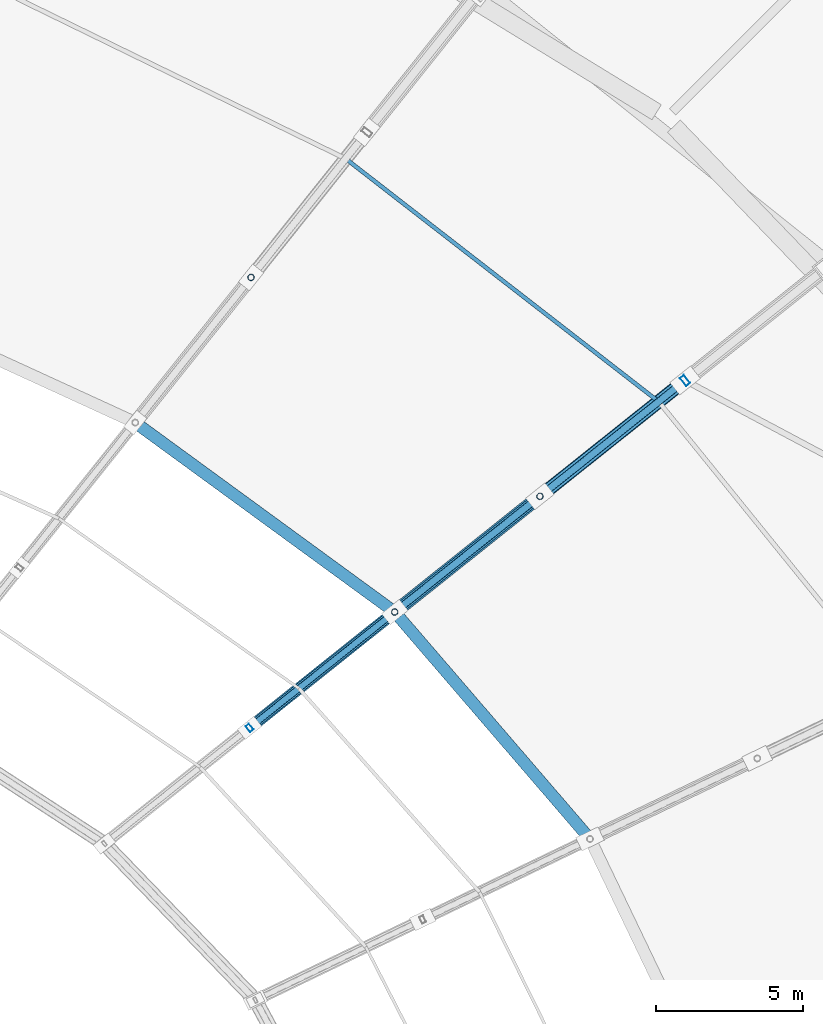
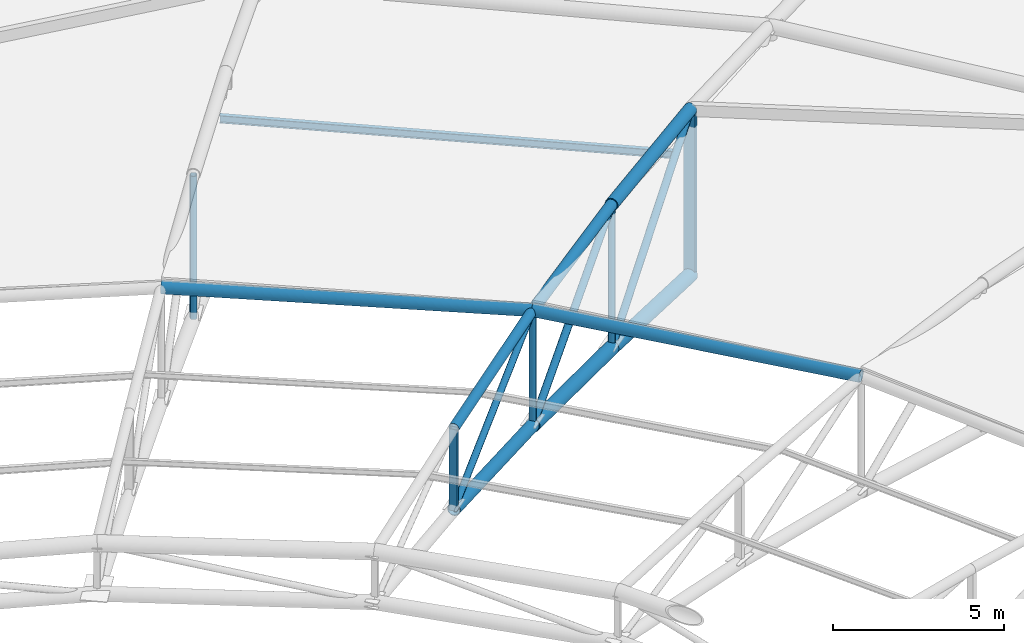
# One storey, part 77 of 108: 17 members.
"""IFC4 building model written with IfcOpenShell, lengths in metres."""

from ifc_helpers import new_model, si_unit, direction, frame, origin, origin_2d, place, context, subcontext, project, spatial, hollow_rectangle, hollow_circle, i_section, extrude, material, material_profile, profile_set, type_object, element, save


model = new_model("IFC4")

# Units and contexts
model_context = context("Model", 3, precision=1e-05, world=origin(), true_north=direction((0.0, 1.0)))
body_context = subcontext(model_context, "Body", "Model", "MODEL_VIEW")
ifc_project = project(units=[si_unit("LENGTHUNIT", "METRE"), si_unit("AREAUNIT", "SQUARE_METRE"), si_unit("VOLUMEUNIT", "CUBIC_METRE"), si_unit("PLANEANGLEUNIT", "RADIAN"), si_unit("MASSUNIT", "GRAM", prefix="KILO")], contexts=[model_context])

# Site, building, storey
site_placement = place(None, origin())
site = spatial("IfcSite", under=ifc_project, at=site_placement, CompositionType="ELEMENT")
building_placement = place(site_placement, origin())
building = spatial("IfcBuilding", under=site, at=building_placement, Name="Zevraka Park Crest Stadium", CompositionType="ELEMENT")
storey_placement = place(building_placement, frame((0.0, 0.0, 29.39990234375)))
storey = spatial("IfcBuildingStorey", under=building, at=storey_placement, Name="RF", CompositionType="ELEMENT", Elevation=29.39990234375)

# Members
ifc_material_1 = material(Name="Steel S355", Category="steel")
ifc_material_profile_1 = material_profile(ifc_material_1, i_section(OverallWidth=0.135009765625, OverallDepth=0.27001953125, WebThickness=0.006591796875, FlangeThickness=0.01025390625, at=origin_2d()), Name="IPE 270")
ifc_profile_set_1 = profile_set([ifc_material_profile_1], Name="Steel S355")
member_type_1 = type_object("IfcMemberType", Name="PR04", PredefinedType="PURLIN", material=ifc_profile_set_1)
member_1_placement = place(storey_placement, frame((164.423095703125, 124.4541015625, 7.488037109375), z_axis=(-0.789959240492, 0.613159358048, 0.0), x_axis=(-0.613159358048, -0.789959240492, 0.0)))
element("IfcMember", 1, at=member_1_placement, inside=storey, type_object=member_type_1, Name="Canopy Roof Purlin PR04 OUTER-04-2", PredefinedType="PURLIN", context=body_context, shape_type="SweptSolid", body=[
    extrude(i_section(OverallWidth=0.135009765625, OverallDepth=0.27001953125, WebThickness=0.006591796875, FlangeThickness=0.01025390625, at=origin_2d()), origin(), (0.0, 0.0, 1.0), 13.440185546875),
])
ifc_material_2 = material(Name="Steel S355", Category="steel")
ifc_material_profile_2 = material_profile(ifc_material_2, hollow_circle(Radius=0.228515625, WallThickness=0.02490234375, at=origin_2d()), Name="CHS 457.0x25")
ifc_profile_set_2 = profile_set([ifc_material_profile_2], Name="Steel S355")
member_type_2 = type_object("IfcMemberType", Name="TC02", PredefinedType="CHORD", material=ifc_profile_set_2)
member_2_placement = place(storey_placement, frame((165.321044921875, 125.169921875, 2.4501953125), z_axis=(-0.760602740013, -0.606499354913, 0.231607435924), x_axis=(0.623451415626, -0.781862092926, 0.0)))
element("IfcMember", 2, at=member_2_placement, inside=storey, type_object=member_type_2, Name="Roof Truss Bottom Chord TC02 T04-4", PredefinedType="CHORD", context=body_context, shape_type="SweptSolid", body=[
    extrude(hollow_circle(Radius=0.228515625, WallThickness=0.02490234375, at=origin_2d()), origin(), (0.0, 0.0, 1.0), 6.4765625),
])
member_3_placement = place(storey_placement, frame((160.39501953125, 121.241943359375, 3.9501953125), z_axis=(-0.764449300006, -0.609687443008, 0.209519663894), x_axis=(0.623526977414, -0.781801834506, 0.0)))
element("IfcMember", 3, at=member_3_placement, inside=storey, type_object=member_type_2, Name="Roof Truss Bottom Chord TC02 T04-5", PredefinedType="CHORD", context=body_context, shape_type="SweptSolid", body=[
    extrude(hollow_circle(Radius=0.228515625, WallThickness=0.02490234375, at=origin_2d()), origin(), (0.0, 0.0, 1.0), 6.442626953125),
])
ifc_material_3 = material(Name="Steel S355", Category="steel")
ifc_material_profile_3 = material_profile(ifc_material_3, hollow_circle(Radius=0.203125, WallThickness=0.02001953125, at=origin_2d()), Name="CHS 406.4x20")
ifc_profile_set_3 = profile_set([ifc_material_profile_3], Name="Steel S355")
member_type_3 = type_object("IfcMemberType", Name="TC03", PredefinedType="CHORD", material=ifc_profile_set_3)
member_4_placement = place(storey_placement, frame((165.321044921875, 125.169921875, 8.35009765625), z_axis=(-0.777081243821, -0.619639199674, 0.110417402291), x_axis=(0.623451415626, -0.781862092926, 0.0)))
element("IfcMember", 4, at=member_4_placement, inside=storey, type_object=member_type_3, Name="Roof Truss Top Chord TC03 T04-4", PredefinedType="CHORD", context=body_context, shape_type="SweptSolid", body=[
    extrude(hollow_circle(Radius=0.203125, WallThickness=0.02001953125, at=origin_2d()), origin(), (0.0, 0.0, 1.0), 6.339111328125),
])
member_5_placement = place(storey_placement, frame((155.469970703125, 117.31396484375, 5.300048828125), z_axis=(-0.770209161073, -0.614159448506, 0.172005872022), x_axis=(0.623451415626, -0.781862092926, 0.0)))
element("IfcMember", 5, at=member_5_placement, inside=storey, type_object=member_type_3, Name="Roof Truss Bottom Chord TC03 T04-6", PredefinedType="CHORD", context=body_context, shape_type="SweptSolid", body=[
    extrude(hollow_circle(Radius=0.203125, WallThickness=0.02001953125, at=origin_2d()), origin(), (0.0, 0.0, 1.0), 6.395751953125),
])
member_6_placement = place(storey_placement, frame((162.093994140625, 109.615966796875, 9.400146484375), z_axis=(-0.652251230259, 0.758002857927, 0.0), x_axis=(-0.758002857927, -0.652251230259, 0.0)))
element("IfcMember", 6, at=member_6_placement, inside=storey, type_object=member_type_3, Name="Roof Canopy Arch Crown Ring Chord TC03 03", PredefinedType="CHORD", context=body_context, shape_type="SweptSolid", body=[
    extrude(hollow_circle(Radius=0.203125, WallThickness=0.02001953125, at=origin_2d()), origin(), (0.0, 0.0, 1.0), 10.155517578125),
])
member_7_placement = place(storey_placement, frame((155.469970703125, 117.31396484375, 9.400146484375), z_axis=(-0.807639312587, 0.589676810435, 0.0), x_axis=(-0.589676810435, -0.807639312587, 0.0)))
element("IfcMember", 7, at=member_7_placement, inside=storey, type_object=member_type_3, Name="Roof Canopy Arch Crown Ring Chord TC03 04", PredefinedType="CHORD", context=body_context, shape_type="SweptSolid", body=[
    extrude(hollow_circle(Radius=0.203125, WallThickness=0.02001953125, at=origin_2d()), origin(), (0.0, 0.0, 1.0), 10.90087890625),
])
ifc_material_4 = material(Name="Steel S355", Category="steel")
ifc_material_profile_4 = material_profile(ifc_material_4, hollow_circle(Radius=0.161865234375, WallThickness=0.01611328125, at=origin_2d()), Name="CHS 323.9x16")
ifc_profile_set_4 = profile_set([ifc_material_profile_4], Name="Steel S355")
member_type_4 = type_object("IfcMemberType", Name="TC04", PredefinedType="CHORD", material=ifc_profile_set_4)
member_8_placement = place(storey_placement, frame((155.469970703125, 117.31396484375, 9.400146484375), z_axis=(-0.781763434815, -0.623372746332, -0.01588556318), x_axis=(0.623451415626, -0.781862092926, 0.0)))
element("IfcMember", 8, at=member_8_placement, inside=storey, type_object=member_type_4, Name="Roof Truss Top Chord TC04 T04-6", PredefinedType="CHORD", context=body_context, shape_type="SweptSolid", body=[
    extrude(hollow_circle(Radius=0.161865234375, WallThickness=0.01611328125, at=origin_2d()), origin(), (0.0, 0.0, 1.0), 6.30126953125),
])
ifc_material_5 = material(Name="Steel S355", Category="steel")
ifc_material_profile_5 = material_profile(ifc_material_5, hollow_circle(Radius=0.177734375, WallThickness=0.01611328125, at=origin_2d()), Name="CHS 355.6x16")
ifc_profile_set_5 = profile_set([ifc_material_profile_5], Name="Steel S355")
member_type_5 = type_object("IfcMemberType", Name="TC05", PredefinedType="CHORD", material=ifc_profile_set_5)
member_9_placement = place(storey_placement, frame((160.39501953125, 121.241943359375, 9.050048828125), z_axis=(-0.780597317848, -0.622566313729, 0.055488849145), x_axis=(0.623526977414, -0.781801834506, 0.0)))
element("IfcMember", 9, at=member_9_placement, inside=storey, type_object=member_type_5, Name="Roof Truss Top Chord TC05 T04-5", PredefinedType="CHORD", context=body_context, shape_type="SweptSolid", body=[
    extrude(hollow_circle(Radius=0.177734375, WallThickness=0.01611328125, at=origin_2d()), origin(), (0.0, 0.0, 1.0), 6.309326171875),
])
ifc_material_6 = material(Name="Steel S355", Category="steel")
ifc_material_profile_6 = material_profile(ifc_material_6, hollow_circle(Radius=0.109619140625, WallThickness=0.010009765625, at=origin_2d()), Name="CHS 219.1x10")
ifc_profile_set_6 = profile_set([ifc_material_profile_6], Name="Steel S355")
member_type_6 = type_object("IfcMemberType", Name="WB02", PredefinedType="BRACE", material=ifc_profile_set_6)
member_10_placement = place(storey_placement, frame((160.39501953125, 121.241943359375, 3.9501953125), z_axis=(0.0, 0.0, 1.0), x_axis=(0.781847027868, 0.623470308046, 0.0)))
element("IfcMember", 10, at=member_10_placement, inside=storey, type_object=member_type_6, Name="Roof Truss Web Post WB02 T04-4", PredefinedType="BRACE", context=body_context, shape_type="SweptSolid", body=[
    extrude(hollow_circle(Radius=0.109619140625, WallThickness=0.010009765625, at=origin_2d()), origin(), (0.0, 0.0, 1.0), 5.099853515625),
])
member_11_placement = place(storey_placement, frame((155.469970703125, 117.31396484375, 5.300048828125), z_axis=(0.0, 0.0, 1.0), x_axis=(0.781847027868, 0.623470308046, 0.0)))
element("IfcMember", 11, at=member_11_placement, inside=storey, type_object=member_type_6, Name="Roof Truss Web Post WB02 T04-5", PredefinedType="BRACE", context=body_context, shape_type="SweptSolid", body=[
    extrude(hollow_circle(Radius=0.109619140625, WallThickness=0.010009765625, at=origin_2d()), origin(), (0.0, 0.0, 1.0), 4.10009765625),
])
member_12_placement = place(storey_placement, frame((150.5439453125, 113.385986328125, 6.400146484375), z_axis=(0.70592020781, 0.562895882612, 0.429912648737), x_axis=(-0.623451415626, 0.781862092926, 0.0)))
element("IfcMember", 12, at=member_12_placement, inside=storey, type_object=member_type_6, Name="Roof Truss Web Diagonal WB02 T04-6", PredefinedType="BRACE", context=body_context, shape_type="SweptSolid", body=[
    extrude(hollow_circle(Radius=0.109619140625, WallThickness=0.010009765625, at=origin_2d()), origin(), (0.0, 0.0, 1.0), 6.978271484375),
])
member_13_placement = place(storey_placement, frame((150.593994140625, 128.66796875, 3.9501953125), z_axis=(0.0, 0.0, 1.0), x_axis=(0.623470308046, 0.781847027868, 0.0)))
element("IfcMember", 13, at=member_13_placement, inside=storey, type_object=member_type_6, Name="Roof Truss Web Post WB02 T05-4", PredefinedType="BRACE", context=body_context, shape_type="SweptSolid", body=[
    extrude(hollow_circle(Radius=0.109619140625, WallThickness=0.010009765625, at=origin_2d()), origin(), (0.0, 0.0, 1.0), 5.099853515625),
])
ifc_material_7 = material(Name="Steel S355", Category="steel")
ifc_material_profile_7 = material_profile(ifc_material_7, hollow_rectangle(XDim=0.14990234375, YDim=0.25, WallThickness=0.010009765625, at=origin_2d()), Name="RHS 250x150x10")
ifc_profile_set_7 = profile_set([ifc_material_profile_7], Name="Steel S355")
member_type_7 = type_object("IfcMemberType", Name="WB04", PredefinedType="BRACE", material=ifc_profile_set_7)
member_14_placement = place(storey_placement, frame((150.5439453125, 113.385986328125, 6.400146484375), z_axis=(0.0, 0.0, 1.0), x_axis=(0.781847027868, 0.623470308046, 0.0)))
element("IfcMember", 14, at=member_14_placement, inside=storey, type_object=member_type_7, Name="Roof Truss Web Post WB04 T04-6", PredefinedType="BRACE", context=body_context, shape_type="SweptSolid", body=[
    extrude(hollow_rectangle(XDim=0.14990234375, YDim=0.25, WallThickness=0.010009765625, at=origin_2d()), origin(), (0.0, 0.0, 1.0), 2.89990234375),
])
ifc_material_8 = material(Name="Steel S355", Category="steel")
ifc_material_profile_8 = material_profile(ifc_material_8, hollow_circle(Radius=0.122314453125, WallThickness=0.012451171875, at=origin_2d()), Name="CHS 244.5x12.5")
ifc_profile_set_8 = profile_set([ifc_material_profile_8], Name="Steel S355")
member_type_8 = type_object("IfcMemberType", Name="WB07", PredefinedType="BRACE", material=ifc_profile_set_8)
member_15_placement = place(storey_placement, frame((160.39501953125, 121.241943359375, 3.9501953125), z_axis=(0.641021240171, 0.51114589548, 0.572557109102), x_axis=(-0.623451415626, 0.781862092926, 0.0)))
element("IfcMember", 15, at=member_15_placement, inside=storey, type_object=member_type_8, Name="Roof Truss Web Diagonal WB07 T04-4", PredefinedType="BRACE", context=body_context, shape_type="SweptSolid", body=[
    extrude(hollow_circle(Radius=0.122314453125, WallThickness=0.012451171875, at=origin_2d()), origin(), (0.0, 0.0, 1.0), 7.6845703125),
])
member_16_placement = place(storey_placement, frame((155.469970703125, 117.31396484375, 5.300048828125), z_axis=(0.671785950307, 0.535783678902, 0.511507073649), x_axis=(-0.623526977414, 0.781801834506, 0.0)))
element("IfcMember", 16, at=member_16_placement, inside=storey, type_object=member_type_8, Name="Roof Truss Web Diagonal WB07 T04-5", PredefinedType="BRACE", context=body_context, shape_type="SweptSolid", body=[
    extrude(hollow_circle(Radius=0.122314453125, WallThickness=0.012451171875, at=origin_2d()), origin(), (0.0, 0.0, 1.0), 7.331298828125),
])
ifc_material_9 = material(Name="Steel S355", Category="steel")
ifc_material_profile_9 = material_profile(ifc_material_9, hollow_rectangle(XDim=0.175048828125, YDim=0.35009765625, WallThickness=0.012451171875, at=origin_2d()), Name="RHS 350x175x12.5")
ifc_profile_set_9 = profile_set([ifc_material_profile_9], Name="Steel S355")
member_type_9 = type_object("IfcMemberType", Name="WB09", PredefinedType="BRACE", material=ifc_profile_set_9)
member_17_placement = place(storey_placement, frame((165.321044921875, 125.169921875, 2.4501953125), z_axis=(0.0, 0.0, 1.0), x_axis=(0.781847027868, 0.623470308046, 0.0)))
element("IfcMember", 17, at=member_17_placement, inside=storey, type_object=member_type_9, Name="Roof Truss Web Post WB09 T04-3", PredefinedType="BRACE", context=body_context, shape_type="SweptSolid", body=[
    extrude(hollow_rectangle(XDim=0.175048828125, YDim=0.35009765625, WallThickness=0.012451171875, at=origin_2d()), origin(), (0.0, 0.0, 1.0), 5.89990234375),
])

save(model, "model.ifc")
